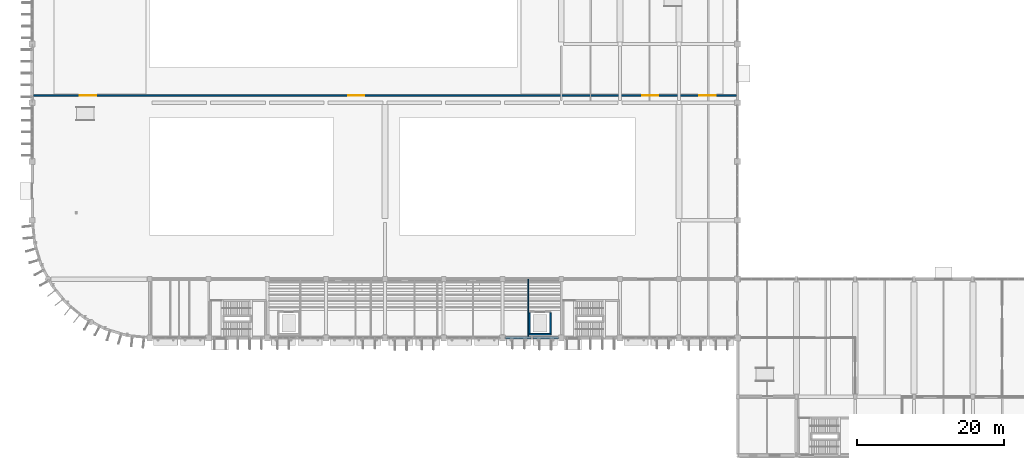
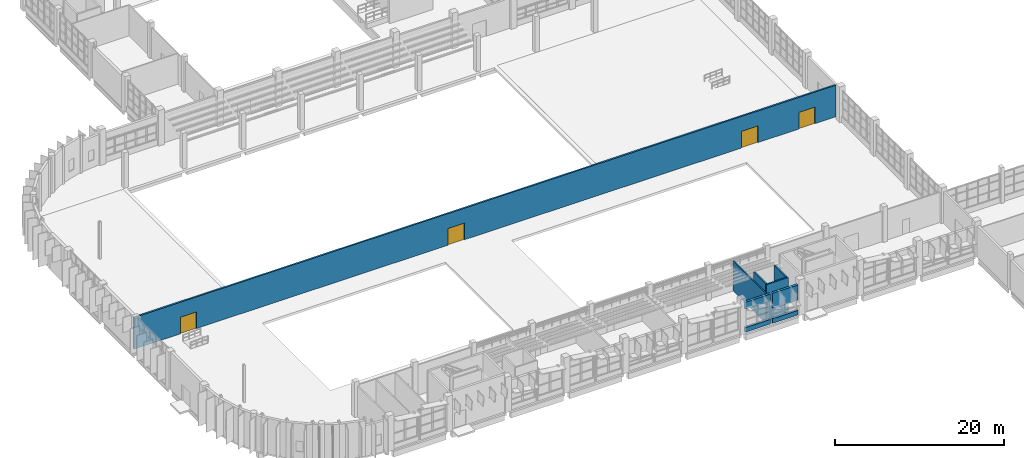
# One storey, part 73 of 103: 9 walls, 4 doors, 4 openings.
"""IFC4 building model written with IfcOpenShell, lengths in metres."""

from ifc_helpers import new_model, si_unit, direction, frame, frame_2d, origin, place, context, subcontext, project, spatial, rectangle, extrude, material, layer, layer_set, type_object, element, fill, save


model = new_model("IFC4")

# Units and contexts
model_context = context("Model", 3, precision=1e-05, world=origin(), true_north=direction((0.0, 1.0)))
body_context = subcontext(model_context, "Body", "Model", "MODEL_VIEW")
ifc_project = project(units=[si_unit("LENGTHUNIT", "METRE"), si_unit("AREAUNIT", "SQUARE_METRE"), si_unit("VOLUMEUNIT", "CUBIC_METRE"), si_unit("PLANEANGLEUNIT", "RADIAN"), si_unit("MASSUNIT", "GRAM", prefix="KILO")], contexts=[model_context])

# Site, building, storey
site_placement = place(None, origin())
site = spatial("IfcSite", under=ifc_project, at=site_placement, CompositionType="ELEMENT")
building_placement = place(site_placement, origin())
building = spatial("IfcBuilding", under=site, at=building_placement, Name="Drelvana Railside Aquatics Centre", CompositionType="ELEMENT")
storey_placement = place(building_placement, origin())
storey = spatial("IfcBuildingStorey", under=building, at=storey_placement, Name="L00", CompositionType="ELEMENT", Elevation=0.0)

# Wall, openings, doors
ifc_material_1 = material(Name="Autoclaved aerated concrete masonry", Category="masonry")
ifc_layer_1 = layer(ifc_material_1, 0.22509765625, Name="Autoclaved aerated concrete masonry")
ifc_layer_set_1 = layer_set([ifc_layer_1], Name="Autoclaved aerated concrete masonry")
wall_type_1 = type_object("IfcWallType", Name="WL-COMP-225", PredefinedType="STANDARD", material=ifc_layer_set_1)
wall_1_placement = place(storey_placement, frame((0.179931640625, 49.0, 0.0), z_axis=(0.0, 0.0, 1.0), x_axis=(1.0, 0.0, 0.0)))
wall_1 = element("IfcWall", 1, at=wall_1_placement, inside=storey, type_object=wall_type_1, Name="Natatorium acoustic hall screen wall", PredefinedType="STANDARD", context=body_context, shape_type="SweptSolid", body=[
    extrude(rectangle(XDim=95.64013671875, YDim=0.22509765625, at=frame_2d((47.820068359375, 0.0))), origin(), (0.0, 0.0, 1.0), 4.554931640625),
])
opening_1_placement = place(wall_1_placement, frame((6.320068359375, 0.0, 0.0)))
opening_1 = element("IfcOpeningElement", 2, at=opening_1_placement, cuts=wall_1, Name="Opening D-07-122", PredefinedType="OPENING", context=body_context, shape_type="SweptSolid", body=[
    extrude(rectangle(XDim=2.199951171875, YDim=2.39990234375, at=frame_2d((1.10009765625, 1.199951171875))), frame((0.0, 0.12255859375, 0.0), z_axis=(0.0, -1.0, 0.0), x_axis=(1.0, 0.0, 0.0)), (0.0, 0.0, 1.0), 0.2451171875),
])
opening_2_placement = place(wall_1_placement, frame((42.820068359375, 0.0, 0.0)))
opening_2 = element("IfcOpeningElement", 3, at=opening_2_placement, cuts=wall_1, Name="Opening D-07-123", PredefinedType="OPENING", context=body_context, shape_type="SweptSolid", body=[
    extrude(rectangle(XDim=2.199951171875, YDim=2.39990234375, at=frame_2d((1.10009765625, 1.199951171875))), frame((0.0, 0.12255859375, 0.0), z_axis=(0.0, -1.0, 0.0), x_axis=(1.0, 0.0, 0.0)), (0.0, 0.0, 1.0), 0.2451171875),
])
opening_3_placement = place(wall_1_placement, frame((82.820068359375, 0.0, 0.0)))
opening_3 = element("IfcOpeningElement", 4, at=opening_3_placement, cuts=wall_1, Name="Opening D-07-124", PredefinedType="OPENING", context=body_context, shape_type="SweptSolid", body=[
    extrude(rectangle(XDim=2.199951171875, YDim=2.39990234375, at=frame_2d((1.10009765625, 1.199951171875))), frame((0.0, 0.12255859375, 0.0), z_axis=(0.0, -1.0, 0.0), x_axis=(1.0, 0.0, 0.0)), (0.0, 0.0, 1.0), 0.2451171875),
])
opening_4_placement = place(wall_1_placement, frame((90.6201171875, 0.0, 0.0)))
opening_4 = element("IfcOpeningElement", 5, at=opening_4_placement, cuts=wall_1, Name="Opening D-07-125", PredefinedType="OPENING", context=body_context, shape_type="SweptSolid", body=[
    extrude(rectangle(XDim=2.199951171875, YDim=2.39990234375, at=frame_2d((1.10009765625, 1.199951171875))), frame((0.0, 0.12255859375, 0.0), z_axis=(0.0, -1.0, 0.0), x_axis=(1.0, 0.0, 0.0)), (0.0, 0.0, 1.0), 0.2451171875),
])
ifc_material_2 = material(Name="Pool hall acoustic lobby double door", Category="wood")
door_type = type_object("IfcDoorType", Name="DR-INT-HALL-2200x2400", OperationType="DOUBLE_DOOR_SINGLE_SWING", PredefinedType="DOOR", material=ifc_material_2)
door_1_placement = place(opening_1_placement, origin())
door_1 = element("IfcDoor", 6, at=door_1_placement, inside=storey, type_object=door_type, Name="West natatorium acoustic screen door D-07-122", OperationType="DOUBLE_DOOR_SINGLE_SWING", OverallHeight=2.39990234375, OverallWidth=2.199951171875, PredefinedType="DOOR", context=body_context, shape_type="SweptSolid", body=[
    extrude(rectangle(XDim=2.199951171875, YDim=2.39990234375, at=frame_2d((1.10009765625, 1.199951171875))), frame((0.0, 0.02490234375, 0.0), z_axis=(0.0, -1.0, 0.0), x_axis=(1.0, 0.0, 0.0)), (0.0, 0.0, 1.0), 0.050048828125),
])
fill(opening_1, door_1)
door_2_placement = place(opening_2_placement, origin())
door_2 = element("IfcDoor", 7, at=door_2_placement, inside=storey, type_object=door_type, Name="Central natatorium acoustic screen door D-07-123", OperationType="DOUBLE_DOOR_SINGLE_SWING", OverallHeight=2.39990234375, OverallWidth=2.199951171875, PredefinedType="DOOR", context=body_context, shape_type="SweptSolid", body=[
    extrude(rectangle(XDim=2.199951171875, YDim=2.39990234375, at=frame_2d((1.10009765625, 1.199951171875))), frame((0.0, 0.02490234375, 0.0), z_axis=(0.0, -1.0, 0.0), x_axis=(1.0, 0.0, 0.0)), (0.0, 0.0, 1.0), 0.050048828125),
])
fill(opening_2, door_2)
door_3_placement = place(opening_3_placement, origin())
door_3 = element("IfcDoor", 8, at=door_3_placement, inside=storey, type_object=door_type, Name="East natatorium acoustic screen door D-07-124", OperationType="DOUBLE_DOOR_SINGLE_SWING", OverallHeight=2.39990234375, OverallWidth=2.199951171875, PredefinedType="DOOR", context=body_context, shape_type="SweptSolid", body=[
    extrude(rectangle(XDim=2.199951171875, YDim=2.39990234375, at=frame_2d((1.10009765625, 1.199951171875))), frame((0.0, 0.02490234375, 0.0), z_axis=(0.0, -1.0, 0.0), x_axis=(1.0, 0.0, 0.0)), (0.0, 0.0, 1.0), 0.050048828125),
])
fill(opening_3, door_3)
door_4_placement = place(opening_4_placement, origin())
door_4 = element("IfcDoor", 9, at=door_4_placement, inside=storey, type_object=door_type, Name="Concourse natatorium acoustic screen door D-07-125", OperationType="DOUBLE_DOOR_SINGLE_SWING", OverallHeight=2.39990234375, OverallWidth=2.199951171875, PredefinedType="DOOR", context=body_context, shape_type="SweptSolid", body=[
    extrude(rectangle(XDim=2.199951171875, YDim=2.39990234375, at=frame_2d((1.10009765625, 1.199951171875))), frame((0.0, 0.02490234375, 0.0), z_axis=(0.0, -1.0, 0.0), x_axis=(1.0, 0.0, 0.0)), (0.0, 0.0, 1.0), 0.050048828125),
])
fill(opening_4, door_4)

# Walls
ifc_material_3 = material(Name="Abuja granite ashlar cavity wall", Category="masonry")
ifc_layer_2 = layer(ifc_material_3, 0.330078125, Name="Abuja granite ashlar cavity wall")
ifc_layer_set_2 = layer_set([ifc_layer_2], Name="Abuja granite ashlar cavity wall")
wall_type_2 = type_object("IfcWallType", Name="WL-EXT-330", PredefinedType="STANDARD", material=ifc_layer_set_2)
for number, where, z_axis, x_axis, name in (
    (10, (64.39599609375, 16.0, 0.0), (0.0, 0.0, 1.0), (1.0, 0.0, 0.0), "Pool Hall south plinth wall 7.1"),
    (11, (68.139892578125, 16.0, 0.0), (0.0, 0.0, 1.0), (1.0, 0.0, 0.0), "Pool Hall south plinth wall 7.2"),
):
    element("IfcWall", number, at=place(storey_placement, frame(where, z_axis=z_axis, x_axis=x_axis)), inside=storey, type_object=wall_type_2, Name=name, PredefinedType="STANDARD", context=body_context, shape_type="SweptSolid", body=[
        extrude(rectangle(XDim=3.464111328125, YDim=0.330078125, at=frame_2d((1.73193359375, 0.0))), origin(), (0.0, 0.0, 1.0), 0.64990234375),
    ])
wall_2_placement = place(storey_placement, frame((64.39599609375, 16.0, 3.327880859375), z_axis=(0.0, 0.0, 1.0), x_axis=(1.0, 0.0, 0.0)))
element("IfcWall", 12, at=wall_2_placement, inside=storey, type_object=wall_type_2, Name="Pool Hall south sine-wave spandrel 7.1", PredefinedType="STANDARD", context=body_context, shape_type="SweptSolid", body=[
    extrude(rectangle(XDim=3.464111328125, YDim=0.330078125, at=frame_2d((1.73193359375, 0.0))), origin(), (0.0, 0.0, 1.0), 0.97705078125),
])
wall_3_placement = place(storey_placement, frame((68.139892578125, 16.0, 2.139892578125), z_axis=(0.0, 0.0, 1.0), x_axis=(1.0, 0.0, 0.0)))
element("IfcWall", 13, at=wall_3_placement, inside=storey, type_object=wall_type_2, Name="Pool Hall south sine-wave spandrel 7.2", PredefinedType="STANDARD", context=body_context, shape_type="SweptSolid", body=[
    extrude(rectangle(XDim=3.464111328125, YDim=0.330078125, at=frame_2d((1.73193359375, 0.0))), origin(), (0.0, 0.0, 1.0), 2.1650390625),
])
ifc_material_4 = material(Name="Concrete C40/50", Category="concrete")
ifc_layer_3 = layer(ifc_material_4, 0.199951171875, Name="Concrete C40/50")
ifc_layer_set_3 = layer_set([ifc_layer_3], Name="Concrete C40/50")
wall_type_3 = type_object("IfcWallType", Name="WL-SHFT-200", PredefinedType="SHEAR", material=ifc_layer_set_3)
wall_4_placement = place(storey_placement, frame((67.60009765625, 16.5, 0.0), z_axis=(0.0, 0.0, 1.0), x_axis=(1.0, 0.0, 0.0)))
element("IfcWall", 14, at=wall_4_placement, inside=storey, type_object=wall_type_3, Name="Lift LP-02 S shaft wall (L00)", PredefinedType="SHEAR", context=body_context, shape_type="SweptSolid", body=[
    extrude(rectangle(XDim=3.0, YDim=0.199951171875, at=frame_2d((1.5, 0.0))), origin(), (0.0, 0.0, 1.0), 5.39990234375),
])
for number, where, z_axis, x_axis, name in (
    (15, (67.699951171875, 16.60009765625, 0.0), (0.0, 0.0, 1.0), (0.0, 1.0, 0.0), "Lift LP-02 W shaft wall (L00)"),
    (16, (70.5, 16.60009765625, 0.0), (0.0, 0.0, 1.0), (0.0, 1.0, 0.0), "Lift LP-02 E shaft wall (L00)"),
):
    element("IfcWall", number, at=place(storey_placement, frame(where, z_axis=z_axis, x_axis=x_axis)), inside=storey, type_object=wall_type_3, Name=name, PredefinedType="SHEAR", context=body_context, shape_type="SweptSolid", body=[
        extrude(rectangle(XDim=2.7998046875, YDim=0.199951171875, at=frame_2d((1.39990234375, 0.0))), origin(), (0.0, 0.0, 1.0), 5.39990234375),
    ])
ifc_material_5 = material(Name="Moisture-resistant tiled plumbing chase wall", Category="masonry")
ifc_layer_4 = layer(ifc_material_5, 0.139892578125, Name="Moisture-resistant tiled plumbing chase wall")
ifc_layer_set_4 = layer_set([ifc_layer_4], Name="Moisture-resistant tiled plumbing chase wall")
wall_type_4 = type_object("IfcWallType", Name="WL-WET-140", PredefinedType="PLUMBINGWALL", material=ifc_layer_set_4)
wall_5_placement = place(storey_placement, frame((67.5, 16.179931640625, 0.0), z_axis=(0.0, 0.0, 1.0), x_axis=(0.0, 1.0, 0.0)))
element("IfcWall", 17, at=wall_5_placement, inside=storey, type_object=wall_type_4, Name="Poolside room divider", PredefinedType="PLUMBINGWALL", context=body_context, shape_type="SweptSolid", body=[
    extrude(rectangle(XDim=7.820068359375, YDim=0.139892578125, at=frame_2d((3.91015625, 0.0))), origin(), (0.0, 0.0, 1.0), 4.304931640625),
])

save(model, "model.ifc")
